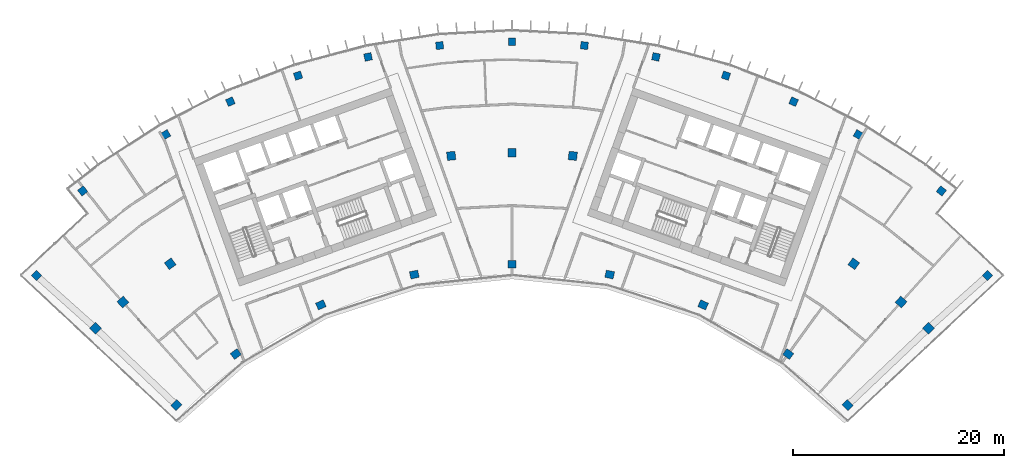
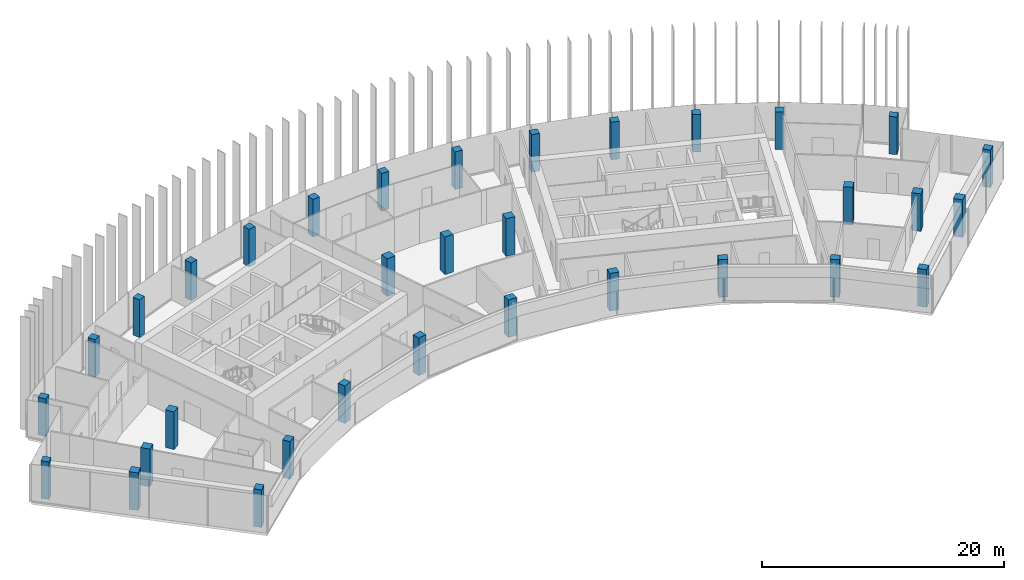
# One storey, part 1 of 18: 33 columns.
"""IFC4 building model written with IfcOpenShell, lengths in metres."""

from ifc_helpers import new_model, si_unit, direction, frame, origin, origin_2d, place, context, subcontext, project, spatial, rectangle, extrude, material, material_profile, profile_set, type_object, element, save


model = new_model("IFC4")

# Units and contexts
model_context = context("Model", 3, precision=1e-05, world=origin(), true_north=direction((0.0, 1.0)))
body_context = subcontext(model_context, "Body", "Model", "MODEL_VIEW")
ifc_project = project(units=[si_unit("LENGTHUNIT", "METRE"), si_unit("AREAUNIT", "SQUARE_METRE"), si_unit("VOLUMEUNIT", "CUBIC_METRE"), si_unit("PLANEANGLEUNIT", "RADIAN"), si_unit("MASSUNIT", "GRAM", prefix="KILO")], contexts=[model_context])

# Site, building, storey
site_placement = place(None, origin())
site = spatial("IfcSite", under=ifc_project, at=site_placement, CompositionType="ELEMENT")
building_placement = place(site_placement, origin())
building = spatial("IfcBuilding", under=site, at=building_placement, Name="Stone Belt Terrace Tower", CompositionType="ELEMENT")
storey_placement = place(building_placement, frame((0.0, 0.0, 269.39990234375)))
storey = spatial("IfcBuildingStorey", under=building, at=storey_placement, Name="L65", CompositionType="ELEMENT", Elevation=269.39990234375)

# Columns
ifc_material = material(Name="Concrete B60", Category="concrete")
ifc_material_profile_1 = material_profile(ifc_material, rectangle(XDim=0.699951171875, YDim=0.699951171875, at=origin_2d()), Name="RC 700x700")
ifc_profile_set_1 = profile_set([ifc_material_profile_1], Name="Concrete B60")
column_type_1 = type_object("IfcColumnType", Name="Column RC 700x700 B60", PredefinedType="COLUMN", material=ifc_profile_set_1)
for number, where, z_axis, x_axis, name in (
    (1, (-44.97705078125, 43.381103515625, 0.0), (0.0, 0.0, 1.0), (0.694221333646, 0.719761585465, 0.0), "Column L65 RA"),
    (2, (44.97705078125, 43.381103515625, 0.0), (0.0, 0.0, 1.0), (0.694221333646, -0.719761585465, 0.0), "Column L65 RB"),
    (3, (-40.605712890625, 51.380615234375, 0.0), (0.0, 0.0, 1.0), (0.784569718703, 0.620040608746, 0.0), "Column L65 RNA"),
    (4, (-32.744384765625, 56.715087890625, 0.0), (0.0, 0.0, 1.0), (0.866025403784, 0.5, 0.0), "Column L65 R17"),
    (5, (-26.63671875, 59.8271484375, 0.0), (0.0, 0.0, 1.0), (0.913545457643, 0.406736643076, 0.0), "Column L65 R18"),
    (6, (-20.2373046875, 62.28369140625, 0.0), (0.0, 0.0, 1.0), (0.951056516295, 0.309016994375, 0.0), "Column L65 R19"),
    (7, (-13.615966796875, 64.057861328125, 0.0), (0.0, 0.0, 1.0), (0.978147600734, 0.207911690818, 0.0), "Column L65 R20"),
    (8, (-6.845458984375, 65.130126953125, 0.0), (0.0, 0.0, 1.0), (0.994521895368, 0.104528463268, 0.0), "Column L65 R21"),
    (9, (0.0, 65.489013671875, 0.0), (0.0, 0.0, 1.0), (1.0, 0.0, 0.0), "Column L65 R22"),
    (10, (6.845458984375, 65.130126953125, 0.0), (0.0, 0.0, 1.0), (0.994521895368, -0.104528463268, 0.0), "Column L65 R23"),
    (11, (13.615966796875, 64.057861328125, 0.0), (0.0, 0.0, 1.0), (0.978147600734, -0.207911690818, 0.0), "Column L65 R24"),
    (12, (20.2373046875, 62.28369140625, 0.0), (0.0, 0.0, 1.0), (0.951056516295, -0.309016994375, 0.0), "Column L65 R25"),
    (13, (26.63671875, 59.8271484375, 0.0), (0.0, 0.0, 1.0), (0.913545457643, -0.406736643076, 0.0), "Column L65 R26"),
    (14, (32.744384765625, 56.715087890625, 0.0), (0.0, 0.0, 1.0), (0.866025403784, -0.5, 0.0), "Column L65 R27"),
    (15, (40.605712890625, 51.380615234375, 0.0), (0.0, 0.0, 1.0), (0.784569718703, -0.620040608746, 0.0), "Column L65 RNB"),
):
    element("IfcColumn", number, at=place(storey_placement, frame(where, z_axis=z_axis, x_axis=x_axis)), inside=storey, type_object=column_type_1, Name=name, PredefinedType="COLUMN", context=body_context, shape_type="SweptSolid", body=[
        extrude(rectangle(XDim=0.699951171875, YDim=0.699951171875, at=origin_2d()), origin(), (0.0, 0.0, 1.0), 3.800048828125),
    ])
ifc_material_profile_2 = material_profile(ifc_material, rectangle(XDim=0.800048828125, YDim=0.699951171875, at=origin_2d()), Name="RC 800x700")
ifc_profile_set_2 = profile_set([ifc_material_profile_2], Name="Concrete B60")
column_type_2 = type_object("IfcColumnType", Name="Column RC 800x700 B60", PredefinedType="COLUMN", material=ifc_profile_set_2)
for number, where, z_axis, x_axis, name in (
    (16, (-31.73486328125, 31.11669921875, 0.0), (0.0, 0.0, 1.0), (0.700119596097, 0.714025595592, 0.0), "Column L65 PA"),
    (17, (-26.1240234375, 35.956787109375, 0.0), (0.0, 0.0, 1.0), (0.809016994375, 0.587785252292, 0.0), "Column L65 P16"),
    (18, (-18.077392578125, 40.6025390625, 0.0), (0.0, 0.0, 1.0), (0.913545457643, 0.406736643076, 0.0), "Column L65 P18"),
    (19, (-9.240478515625, 43.473876953125, 0.0), (0.0, 0.0, 1.0), (0.978147600734, 0.207911690818, 0.0), "Column L65 P20"),
    (20, (0.0, 44.445068359375, 0.0), (0.0, 0.0, 1.0), (1.0, 0.0, 0.0), "Column L65 P22"),
    (21, (9.240478515625, 43.473876953125, 0.0), (0.0, 0.0, 1.0), (0.978147600734, -0.207911690818, 0.0), "Column L65 P24"),
    (22, (18.077392578125, 40.6025390625, 0.0), (0.0, 0.0, 1.0), (0.913545457643, -0.406736643076, 0.0), "Column L65 P26"),
    (23, (26.1240234375, 35.956787109375, 0.0), (0.0, 0.0, 1.0), (0.809016994375, -0.587785252292, 0.0), "Column L65 P28"),
    (24, (31.73486328125, 31.11669921875, 0.0), (0.0, 0.0, 1.0), (0.700119596097, -0.714025595592, 0.0), "Column L65 PB"),
):
    element("IfcColumn", number, at=place(storey_placement, frame(where, z_axis=z_axis, x_axis=x_axis)), inside=storey, type_object=column_type_2, Name=name, PredefinedType="COLUMN", context=body_context, shape_type="SweptSolid", body=[
        extrude(rectangle(XDim=0.800048828125, YDim=0.699951171875, at=origin_2d()), origin(), (0.0, 0.0, 1.0), 3.800048828125),
    ])
ifc_material_profile_3 = material_profile(ifc_material, rectangle(XDim=0.800048828125, YDim=0.800048828125, at=origin_2d()), Name="RC 800x800")
ifc_profile_set_3 = profile_set([ifc_material_profile_3], Name="Concrete B60")
column_type_3 = type_object("IfcColumnType", Name="Column RC 800x800 B60", PredefinedType="COLUMN", material=ifc_profile_set_3)
for number, where, z_axis, x_axis, name in (
    (25, (-39.38818359375, 38.386962890625, 0.0), (0.0, 0.0, 1.0), (0.697944216238, 0.716152128406, 0.0), "Column L65 QA"),
    (26, (-36.80224609375, 40.873046875, 0.0), (0.0, 0.0, 1.0), (0.743144825477, 0.669130606359, 0.0), "Column L65 Q15"),
    (27, (-32.328125, 44.495849609375, 0.0), (0.0, 0.0, 1.0), (0.809016994375, 0.587785252292, 0.0), "Column L65 Q16"),
    (28, (-5.7490234375, 54.69873046875, 0.0), (0.0, 0.0, 1.0), (0.994521895368, 0.104528463268, 0.0), "Column L65 Q21"),
    (29, (0.0, 55.0, 0.0), (0.0, 0.0, 1.0), (1.0, 0.0, 0.0), "Column L65 Q22"),
    (30, (5.7490234375, 54.69873046875, 0.0), (0.0, 0.0, 1.0), (0.994521895368, -0.104528463268, 0.0), "Column L65 Q23"),
    (31, (32.328125, 44.495849609375, 0.0), (0.0, 0.0, 1.0), (0.809016994375, -0.587785252292, 0.0), "Column L65 Q28"),
    (32, (36.80224609375, 40.873046875, 0.0), (0.0, 0.0, 1.0), (0.743144825477, -0.669130606359, 0.0), "Column L65 Q29"),
    (33, (39.38818359375, 38.386962890625, 0.0), (0.0, 0.0, 1.0), (0.697944216238, -0.716152128406, 0.0), "Column L65 QB"),
):
    element("IfcColumn", number, at=place(storey_placement, frame(where, z_axis=z_axis, x_axis=x_axis)), inside=storey, type_object=column_type_3, Name=name, PredefinedType="COLUMN", context=body_context, shape_type="SweptSolid", body=[
        extrude(rectangle(XDim=0.800048828125, YDim=0.800048828125, at=origin_2d()), origin(), (0.0, 0.0, 1.0), 3.800048828125),
    ])

save(model, "model.ifc")
